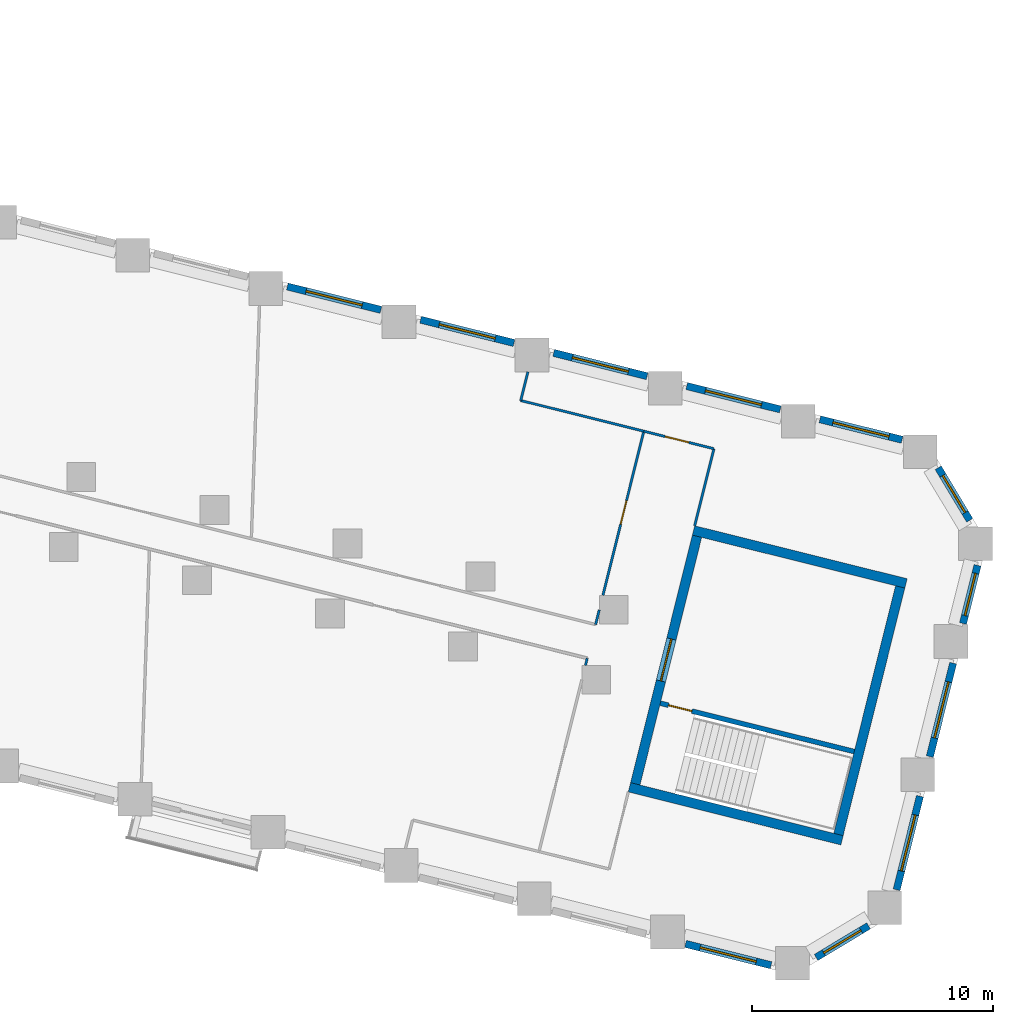
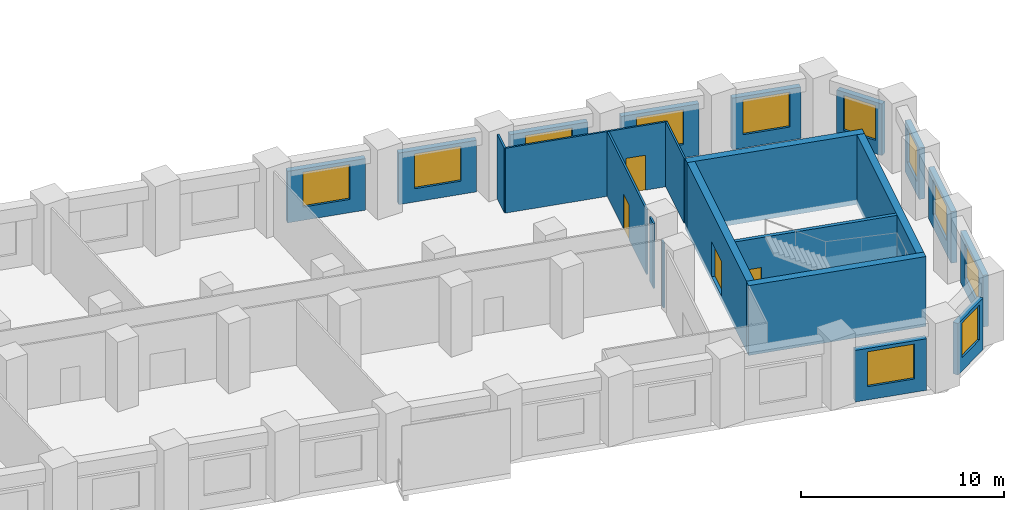
# One storey, part 7 of 11: 23 walls, 11 windows, 4 doors, 15 openings.
"""IFC4 building model written with IfcOpenShell, lengths in metres."""

from ifc_helpers import new_model, si_unit, direction, frame, frame_2d, origin, place, context, subcontext, project, spatial, rectangle, extrude, material, layer, layer_set, type_object, element, fill, save


model = new_model("IFC4")

# Units and contexts
model_context = context("Model", 3, precision=1e-05, world=origin(), true_north=direction((0.0, 1.0)))
body_context = subcontext(model_context, "Body", "Model", "MODEL_VIEW")
ifc_project = project(units=[si_unit("LENGTHUNIT", "METRE"), si_unit("AREAUNIT", "SQUARE_METRE"), si_unit("VOLUMEUNIT", "CUBIC_METRE"), si_unit("PLANEANGLEUNIT", "RADIAN"), si_unit("MASSUNIT", "GRAM", prefix="KILO")], contexts=[model_context])

# Site, building, storey
site_placement = place(None, origin())
site = spatial("IfcSite", under=ifc_project, at=site_placement, CompositionType="ELEMENT")
building_placement = place(site_placement, origin())
building = spatial("IfcBuilding", under=site, at=building_placement, Name="Meshkara Civic Tower", CompositionType="ELEMENT")
storey_placement = place(building_placement, frame((0.0, 0.0, 70.800048828125)))
storey = spatial("IfcBuildingStorey", under=building, at=storey_placement, Name="L15", CompositionType="ELEMENT", Elevation=70.800048828125)

# Walls
ifc_material_1 = material(Name="Corridor wall 100")
ifc_layer_1 = layer(ifc_material_1, 0.10009765625)
ifc_layer_set_1 = layer_set([ifc_layer_1], Name="Corridor wall 100")
wall_type_1 = type_object("IfcWallType", Name="Corridor wall 100", PredefinedType="PARTITIONING", material=ifc_layer_set_1)
wall_1_placement = place(storey_placement, frame((74.35595703125, -7.534912109375, 0.0), z_axis=(0.0, 0.0, 1.0), x_axis=(-0.24082959107, -0.970567415518, 0.0)))
element("IfcWall", 1, at=wall_1_placement, inside=storey, type_object=wall_type_1, Name="L15-W027", PredefinedType="PARTITIONING", context=body_context, shape_type="SweptSolid", body=[
    extrude(rectangle(XDim=0.30322265625, YDim=0.10009765625, at=frame_2d((0.151611328125, 0.0))), origin(), (0.0, 0.0, 1.0), 3.89990234375),
])
wall_2_placement = place(storey_placement, frame((74.85595703125, -5.527099609375, 0.0), z_axis=(0.0, 0.0, 1.0), x_axis=(-0.241982798004, -0.970280539571, 0.0)))
element("IfcWall", 2, at=wall_2_placement, inside=storey, type_object=wall_type_1, Name="L15-W028", PredefinedType="PARTITIONING", context=body_context, shape_type="SweptSolid", body=[
    extrude(rectangle(XDim=0.62353515625, YDim=0.10009765625, at=frame_2d((0.311767578125, 0.0))), origin(), (0.0, 0.0, 1.0), 3.89990234375),
])

# Wall, opening, door
wall_3_placement = place(storey_placement, frame((76.7080078125, 1.89892578125, 0.0), z_axis=(0.0, 0.0, 1.0), x_axis=(-0.241963232294, -0.970285418945, 0.0)))
wall_3 = element("IfcWall", 3, at=wall_3_placement, inside=storey, type_object=wall_type_1, Name="L15-W030", PredefinedType="PARTITIONING", context=body_context, shape_type="SweptSolid", body=[
    extrude(rectangle(XDim=7.025634765625, YDim=0.10009765625, at=frame_2d((3.5126953125, 0.0))), origin(), (0.0, 0.0, 1.0), 3.89990234375),
])
opening_1_placement = place(wall_3_placement, frame((2.97998046875, 0.0, 0.0)))
opening_1 = element("IfcOpeningElement", 4, at=opening_1_placement, cuts=wall_3, Name="Opening L15-D008", PredefinedType="OPENING", context=body_context, shape_type="SweptSolid", body=[
    extrude(rectangle(XDim=1.0, YDim=2.10009765625, at=frame_2d((0.5, 1.050048828125))), frame((0.0, 0.06005859375, 0.0), z_axis=(0.0, -1.0, 0.0), x_axis=(1.0, 0.0, 0.0)), (0.0, 0.0, 1.0), 0.1201171875),
])
ifc_material_2 = material(Name="Door 1000 x 2100")
door_type_1 = type_object("IfcDoorType", Name="Door 1000 x 2100", OperationType="SINGLE_SWING_LEFT", PredefinedType="DOOR", material=ifc_material_2)
door_1_placement = place(opening_1_placement, origin())
door_1 = element("IfcDoor", 5, at=door_1_placement, inside=storey, type_object=door_type_1, Name="L15-D008", OperationType="SINGLE_SWING_RIGHT", OverallHeight=2.10009765625, OverallWidth=1.0, PredefinedType="DOOR", context=body_context, shape_type="SweptSolid", body=[
    extrude(rectangle(XDim=1.0, YDim=2.10009765625, at=frame_2d((0.5, 1.050048828125))), frame((0.0, 0.02490234375, 0.0), z_axis=(0.0, -1.0, 0.0), x_axis=(1.0, 0.0, 0.0)), (0.0, 0.0, 1.0), 0.050048828125),
])
fill(opening_1, door_1)

# Wall
wall_4_placement = place(storey_placement, frame((78.821044921875, -2.029052734375, 0.0), z_axis=(0.0, 0.0, 1.0), x_axis=(0.241769629392, 0.970333677816, 0.0)))
element("IfcWall", 6, at=wall_4_placement, inside=storey, type_object=wall_type_1, Name="L15-W031", PredefinedType="PARTITIONING", context=body_context, shape_type="SweptSolid", body=[
    extrude(rectangle(XDim=3.300048828125, YDim=0.10009765625, at=frame_2d((1.64990234375, 0.0))), origin(), (0.0, 0.0, 1.0), 3.89990234375),
])

# Wall, opening, door
wall_5_placement = place(storey_placement, frame((79.618896484375, 1.173095703125, 0.0), z_axis=(0.0, 0.0, 1.0), x_axis=(-0.970290716908, 0.241941986192, 0.0)))
wall_5 = element("IfcWall", 7, at=wall_5_placement, inside=storey, type_object=wall_type_1, Name="L15-W032", PredefinedType="PARTITIONING", context=body_context, shape_type="SweptSolid", body=[
    extrude(rectangle(XDim=3.0, YDim=0.10009765625, at=frame_2d((1.5, 0.0))), origin(), (0.0, 0.0, 1.0), 3.89990234375),
])
opening_2_placement = place(wall_5_placement, frame((1.080078125, 0.0, 0.0)))
opening_2 = element("IfcOpeningElement", 8, at=opening_2_placement, cuts=wall_5, Name="Opening L15-D012", PredefinedType="OPENING", context=body_context, shape_type="SweptSolid", body=[
    extrude(rectangle(XDim=1.0, YDim=2.10009765625, at=frame_2d((0.5, 1.050048828125))), frame((0.0, 0.06005859375, 0.0), z_axis=(0.0, -1.0, 0.0), x_axis=(1.0, 0.0, 0.0)), (0.0, 0.0, 1.0), 0.1201171875),
])
door_2_placement = place(opening_2_placement, origin())
door_2 = element("IfcDoor", 9, at=door_2_placement, inside=storey, type_object=door_type_1, Name="L15-D012", OperationType="SINGLE_SWING_LEFT", OverallHeight=2.10009765625, OverallWidth=1.0, PredefinedType="DOOR", context=body_context, shape_type="SweptSolid", body=[
    extrude(rectangle(XDim=1.0, YDim=2.10009765625, at=frame_2d((0.5, 1.050048828125))), frame((0.0, 0.02490234375, 0.0), z_axis=(0.0, -1.0, 0.0), x_axis=(1.0, 0.0, 0.0)), (0.0, 0.0, 1.0), 0.050048828125),
])
fill(opening_2, door_2)

# Wall, opening, window
ifc_material_3 = material(Name="Insulated infill panel with bronze anodised aluminium cladding", Category="aluminium")
ifc_layer_2 = layer(ifc_material_3, 0.300048828125)
ifc_layer_set_2 = layer_set([ifc_layer_2], Name="EXTERNAL INFILL WALL 300")
wall_type_2 = type_object("IfcWallType", Name="EXTERNAL INFILL WALL 300", PredefinedType="SOLIDWALL", material=ifc_layer_set_2)
wall_6_placement = place(storey_placement, frame((87.43505859375, 1.54296875, 0.0), z_axis=(0.0, 0.0, 1.0), x_axis=(-0.970289298425, 0.241947674843, 0.0)))
wall_6 = element("IfcWall", 10, at=wall_6_placement, inside=storey, type_object=wall_type_2, Name="External wall", PredefinedType="SOLIDWALL", context=body_context, shape_type="SweptSolid", body=[
    extrude(rectangle(XDim=3.517578125, YDim=0.300048828125, at=frame_2d((1.7587890625, 0.0))), origin(), (0.0, 0.0, 1.0), 3.099853515625),
])
opening_3_placement = place(wall_6_placement, frame((0.55908203125, 0.0, 0.800048828125)))
opening_3 = element("IfcOpeningElement", 11, at=opening_3_placement, cuts=wall_6, Name="Opening W7", PredefinedType="OPENING", context=body_context, shape_type="SweptSolid", body=[
    extrude(rectangle(XDim=2.39990234375, YDim=2.10009765625, at=frame_2d((1.199951171875, 1.050048828125))), frame((0.0, 0.159912109375, 0.0), z_axis=(0.0, -1.0, 0.0), x_axis=(1.0, 0.0, 0.0)), (0.0, 0.0, 1.0), 0.320068359375),
])
ifc_material_4 = material(Name="Tinted double glazing", Category="glass")
window_type_1 = type_object("IfcWindowType", Name="WINDOW 2400x2100", PartitioningType="DOUBLE_PANEL_VERTICAL", PredefinedType="WINDOW", material=ifc_material_4)
window_1_placement = place(opening_3_placement, origin())
window_1 = element("IfcWindow", 12, at=window_1_placement, inside=storey, type_object=window_type_1, Name="Window", OverallHeight=2.10009765625, OverallWidth=2.39990234375, PartitioningType="DOUBLE_PANEL_VERTICAL", PredefinedType="WINDOW", context=body_context, shape_type="SweptSolid", body=[
    extrude(rectangle(XDim=2.39990234375, YDim=2.10009765625, at=frame_2d((1.199951171875, 1.050048828125))), frame((0.0, 0.030029296875, 0.0), z_axis=(0.0, -1.0, 0.0), x_axis=(1.0, 0.0, 0.0)), (0.0, 0.0, 1.0), 0.06005859375),
])
fill(opening_3, window_1)

wall_7_placement = place(storey_placement, frame((82.375, 2.804931640625, 0.0), z_axis=(0.0, 0.0, 1.0), x_axis=(-0.970318045095, 0.24183236211, 0.0)))
wall_7 = element("IfcWall", 13, at=wall_7_placement, inside=storey, type_object=wall_type_2, Name="External wall", PredefinedType="SOLIDWALL", context=body_context, shape_type="SweptSolid", body=[
    extrude(rectangle(XDim=4.0029296875, YDim=0.300048828125, at=frame_2d((2.00146484375, 0.0))), origin(), (0.0, 0.0, 1.0), 3.099853515625),
])
opening_4_placement = place(wall_7_placement, frame((0.802001953125, 0.0, 0.800048828125)))
opening_4 = element("IfcOpeningElement", 14, at=opening_4_placement, cuts=wall_7, Name="Opening W7", PredefinedType="OPENING", context=body_context, shape_type="SweptSolid", body=[
    extrude(rectangle(XDim=2.39990234375, YDim=2.10009765625, at=frame_2d((1.199951171875, 1.050048828125))), frame((0.0, 0.159912109375, 0.0), z_axis=(0.0, -1.0, 0.0), x_axis=(1.0, 0.0, 0.0)), (0.0, 0.0, 1.0), 0.320068359375),
])
window_2_placement = place(opening_4_placement, origin())
window_2 = element("IfcWindow", 15, at=window_2_placement, inside=storey, type_object=window_type_1, Name="Window", OverallHeight=2.10009765625, OverallWidth=2.39990234375, PartitioningType="DOUBLE_PANEL_VERTICAL", PredefinedType="WINDOW", context=body_context, shape_type="SweptSolid", body=[
    extrude(rectangle(XDim=2.39990234375, YDim=2.10009765625, at=frame_2d((1.199951171875, 1.050048828125))), frame((0.0, 0.030029296875, 0.0), z_axis=(0.0, -1.0, 0.0), x_axis=(1.0, 0.0, 0.0)), (0.0, 0.0, 1.0), 0.06005859375),
])
fill(opening_4, window_2)

wall_8_placement = place(storey_placement, frame((76.843994140625, 4.18408203125, 0.0), z_axis=(0.0, 0.0, 1.0), x_axis=(-0.970303772127, 0.241889623168, 0.0)))
wall_8 = element("IfcWall", 16, at=wall_8_placement, inside=storey, type_object=wall_type_2, Name="External wall", PredefinedType="SOLIDWALL", context=body_context, shape_type="SweptSolid", body=[
    extrude(rectangle(XDim=4.001953125, YDim=0.300048828125, at=frame_2d((2.0009765625, 0.0))), origin(), (0.0, 0.0, 1.0), 3.099853515625),
])
opening_5_placement = place(wall_8_placement, frame((0.801025390625, 0.0, 0.800048828125)))
opening_5 = element("IfcOpeningElement", 17, at=opening_5_placement, cuts=wall_8, Name="Opening W7", PredefinedType="OPENING", context=body_context, shape_type="SweptSolid", body=[
    extrude(rectangle(XDim=2.39990234375, YDim=2.10009765625, at=frame_2d((1.199951171875, 1.050048828125))), frame((0.0, 0.159912109375, 0.0), z_axis=(0.0, -1.0, 0.0), x_axis=(1.0, 0.0, 0.0)), (0.0, 0.0, 1.0), 0.320068359375),
])
window_3_placement = place(opening_5_placement, origin())
window_3 = element("IfcWindow", 18, at=window_3_placement, inside=storey, type_object=window_type_1, Name="Window", OverallHeight=2.10009765625, OverallWidth=2.39990234375, PartitioningType="DOUBLE_PANEL_VERTICAL", PredefinedType="WINDOW", context=body_context, shape_type="SweptSolid", body=[
    extrude(rectangle(XDim=2.39990234375, YDim=2.10009765625, at=frame_2d((1.199951171875, 1.050048828125))), frame((0.0, 0.030029296875, 0.0), z_axis=(0.0, -1.0, 0.0), x_axis=(1.0, 0.0, 0.0)), (0.0, 0.0, 1.0), 0.06005859375),
])
fill(opening_5, window_3)

wall_9_placement = place(storey_placement, frame((71.31396484375, 5.56298828125, 0.0), z_axis=(0.0, 0.0, 1.0), x_axis=(-0.970318045095, 0.24183236211, 0.0)))
wall_9 = element("IfcWall", 19, at=wall_9_placement, inside=storey, type_object=wall_type_2, Name="External wall", PredefinedType="SOLIDWALL", context=body_context, shape_type="SweptSolid", body=[
    extrude(rectangle(XDim=4.0029296875, YDim=0.300048828125, at=frame_2d((2.00146484375, 0.0))), origin(), (0.0, 0.0, 1.0), 3.099853515625),
])
opening_6_placement = place(wall_9_placement, frame((0.802001953125, 0.0, 0.800048828125)))
opening_6 = element("IfcOpeningElement", 20, at=opening_6_placement, cuts=wall_9, Name="Opening W7", PredefinedType="OPENING", context=body_context, shape_type="SweptSolid", body=[
    extrude(rectangle(XDim=2.39990234375, YDim=2.10009765625, at=frame_2d((1.199951171875, 1.050048828125))), frame((0.0, 0.159912109375, 0.0), z_axis=(0.0, -1.0, 0.0), x_axis=(1.0, 0.0, 0.0)), (0.0, 0.0, 1.0), 0.320068359375),
])
window_4_placement = place(opening_6_placement, origin())
window_4 = element("IfcWindow", 21, at=window_4_placement, inside=storey, type_object=window_type_1, Name="Window", OverallHeight=2.10009765625, OverallWidth=2.39990234375, PartitioningType="DOUBLE_PANEL_VERTICAL", PredefinedType="WINDOW", context=body_context, shape_type="SweptSolid", body=[
    extrude(rectangle(XDim=2.39990234375, YDim=2.10009765625, at=frame_2d((1.199951171875, 1.050048828125))), frame((0.0, 0.030029296875, 0.0), z_axis=(0.0, -1.0, 0.0), x_axis=(1.0, 0.0, 0.0)), (0.0, 0.0, 1.0), 0.06005859375),
])
fill(opening_6, window_4)

wall_10_placement = place(storey_placement, frame((65.782958984375, 6.94189453125, 0.0), z_axis=(0.0, 0.0, 1.0), x_axis=(-0.970318045095, 0.24183236211, 0.0)))
wall_10 = element("IfcWall", 22, at=wall_10_placement, inside=storey, type_object=wall_type_2, Name="External wall", PredefinedType="SOLIDWALL", context=body_context, shape_type="SweptSolid", body=[
    extrude(rectangle(XDim=4.0029296875, YDim=0.300048828125, at=frame_2d((2.00146484375, 0.0))), origin(), (0.0, 0.0, 1.0), 3.099853515625),
])
opening_7_placement = place(wall_10_placement, frame((0.802001953125, 0.0, 0.800048828125)))
opening_7 = element("IfcOpeningElement", 23, at=opening_7_placement, cuts=wall_10, Name="Opening W7", PredefinedType="OPENING", context=body_context, shape_type="SweptSolid", body=[
    extrude(rectangle(XDim=2.39990234375, YDim=2.10009765625, at=frame_2d((1.199951171875, 1.050048828125))), frame((0.0, 0.159912109375, 0.0), z_axis=(0.0, -1.0, 0.0), x_axis=(1.0, 0.0, 0.0)), (0.0, 0.0, 1.0), 0.320068359375),
])
window_5_placement = place(opening_7_placement, origin())
window_5 = element("IfcWindow", 24, at=window_5_placement, inside=storey, type_object=window_type_1, Name="Window", OverallHeight=2.10009765625, OverallWidth=2.39990234375, PartitioningType="DOUBLE_PANEL_VERTICAL", PredefinedType="WINDOW", context=body_context, shape_type="SweptSolid", body=[
    extrude(rectangle(XDim=2.39990234375, YDim=2.10009765625, at=frame_2d((1.199951171875, 1.050048828125))), frame((0.0, 0.030029296875, 0.0), z_axis=(0.0, -1.0, 0.0), x_axis=(1.0, 0.0, 0.0)), (0.0, 0.0, 1.0), 0.06005859375),
])
fill(opening_7, window_5)

wall_11_placement = place(storey_placement, frame((78.43994140625, -19.402099609375, 0.0), z_axis=(0.0, 0.0, 1.0), x_axis=(0.970271818873, -0.24201776278, 0.0)))
wall_11 = element("IfcWall", 25, at=wall_11_placement, inside=storey, type_object=wall_type_2, Name="External wall", PredefinedType="SOLIDWALL", context=body_context, shape_type="SweptSolid", body=[
    extrude(rectangle(XDim=3.660888671875, YDim=0.300048828125, at=frame_2d((1.83056640625, 0.0))), origin(), (0.0, 0.0, 1.0), 3.099853515625),
])
opening_8_placement = place(wall_11_placement, frame((0.6298828125, 0.0, 0.800048828125)))
opening_8 = element("IfcOpeningElement", 26, at=opening_8_placement, cuts=wall_11, Name="Opening W7", PredefinedType="OPENING", context=body_context, shape_type="SweptSolid", body=[
    extrude(rectangle(XDim=2.39990234375, YDim=2.10009765625, at=frame_2d((1.199951171875, 1.050048828125))), frame((0.0, 0.159912109375, 0.0), z_axis=(0.0, -1.0, 0.0), x_axis=(1.0, 0.0, 0.0)), (0.0, 0.0, 1.0), 0.320068359375),
])
window_6_placement = place(opening_8_placement, origin())
window_6 = element("IfcWindow", 27, at=window_6_placement, inside=storey, type_object=window_type_1, Name="Window", OverallHeight=2.10009765625, OverallWidth=2.39990234375, PartitioningType="DOUBLE_PANEL_VERTICAL", PredefinedType="WINDOW", context=body_context, shape_type="SweptSolid", body=[
    extrude(rectangle(XDim=2.39990234375, YDim=2.10009765625, at=frame_2d((1.199951171875, 1.050048828125))), frame((0.0, 0.030029296875, 0.0), z_axis=(0.0, -1.0, 0.0), x_axis=(1.0, 0.0, 0.0)), (0.0, 0.0, 1.0), 0.06005859375),
])
fill(opening_8, window_6)

wall_12_placement = place(storey_placement, frame((83.865966796875, -19.965087890625, 0.0), z_axis=(0.0, 0.0, 1.0), x_axis=(0.857026568426, 0.515272220299, 0.0)))
wall_12 = element("IfcWall", 28, at=wall_12_placement, inside=storey, type_object=wall_type_2, Name="External wall", PredefinedType="SOLIDWALL", context=body_context, shape_type="SweptSolid", body=[
    extrude(rectangle(XDim=2.54248046875, YDim=0.300048828125, at=frame_2d((1.271240234375, 0.0))), origin(), (0.0, 0.0, 1.0), 3.099853515625),
])
opening_9_placement = place(wall_12_placement, frame((0.37109375, 0.0, 0.800048828125)))
opening_9 = element("IfcOpeningElement", 29, at=opening_9_placement, cuts=wall_12, Name="Opening W9", PredefinedType="OPENING", context=body_context, shape_type="SweptSolid", body=[
    extrude(rectangle(XDim=1.800048828125, YDim=2.10009765625, at=frame_2d((0.89990234375, 1.050048828125))), frame((0.0, 0.159912109375, 0.0), z_axis=(0.0, -1.0, 0.0), x_axis=(1.0, 0.0, 0.0)), (0.0, 0.0, 1.0), 0.320068359375),
])
ifc_material_5 = material(Name="Tinted double glazing", Category="glass")
window_type_2 = type_object("IfcWindowType", Name="WINDOW 1800x2100", PartitioningType="DOUBLE_PANEL_VERTICAL", PredefinedType="WINDOW", material=ifc_material_5)
window_7_placement = place(opening_9_placement, origin())
window_7 = element("IfcWindow", 30, at=window_7_placement, inside=storey, type_object=window_type_2, Name="Window", OverallHeight=2.10009765625, OverallWidth=1.800048828125, PartitioningType="DOUBLE_PANEL_VERTICAL", PredefinedType="WINDOW", context=body_context, shape_type="SweptSolid", body=[
    extrude(rectangle(XDim=1.800048828125, YDim=2.10009765625, at=frame_2d((0.89990234375, 1.050048828125))), frame((0.0, 0.030029296875, 0.0), z_axis=(0.0, -1.0, 0.0), x_axis=(1.0, 0.0, 0.0)), (0.0, 0.0, 1.0), 0.06005859375),
])
fill(opening_9, window_7)

wall_13_placement = place(storey_placement, frame((87.2109375, -17.152099609375, 0.0), z_axis=(0.0, 0.0, 1.0), x_axis=(0.24183236211, 0.970318045095, 0.0)))
wall_13 = element("IfcWall", 31, at=wall_13_placement, inside=storey, type_object=wall_type_2, Name="External wall", PredefinedType="SOLIDWALL", context=body_context, shape_type="SweptSolid", body=[
    extrude(rectangle(XDim=4.0029296875, YDim=0.300048828125, at=frame_2d((2.00146484375, 0.0))), origin(), (0.0, 0.0, 1.0), 3.099853515625),
])
opening_10_placement = place(wall_13_placement, frame((0.802001953125, 0.0, 0.800048828125)))
opening_10 = element("IfcOpeningElement", 32, at=opening_10_placement, cuts=wall_13, Name="Opening W7", PredefinedType="OPENING", context=body_context, shape_type="SweptSolid", body=[
    extrude(rectangle(XDim=2.39990234375, YDim=2.10009765625, at=frame_2d((1.199951171875, 1.050048828125))), frame((0.0, 0.159912109375, 0.0), z_axis=(0.0, -1.0, 0.0), x_axis=(1.0, 0.0, 0.0)), (0.0, 0.0, 1.0), 0.320068359375),
])
window_8_placement = place(opening_10_placement, origin())
window_8 = element("IfcWindow", 33, at=window_8_placement, inside=storey, type_object=window_type_1, Name="Window", OverallHeight=2.10009765625, OverallWidth=2.39990234375, PartitioningType="DOUBLE_PANEL_VERTICAL", PredefinedType="WINDOW", context=body_context, shape_type="SweptSolid", body=[
    extrude(rectangle(XDim=2.39990234375, YDim=2.10009765625, at=frame_2d((1.199951171875, 1.050048828125))), frame((0.0, 0.030029296875, 0.0), z_axis=(0.0, -1.0, 0.0), x_axis=(1.0, 0.0, 0.0)), (0.0, 0.0, 1.0), 0.06005859375),
])
fill(opening_10, window_8)

wall_14_placement = place(storey_placement, frame((88.590087890625, -11.62109375, 0.0), z_axis=(0.0, 0.0, 1.0), x_axis=(0.241889623168, 0.970303772127, 0.0)))
wall_14 = element("IfcWall", 34, at=wall_14_placement, inside=storey, type_object=wall_type_2, Name="External wall", PredefinedType="SOLIDWALL", context=body_context, shape_type="SweptSolid", body=[
    extrude(rectangle(XDim=4.001953125, YDim=0.300048828125, at=frame_2d((2.0009765625, 0.0))), origin(), (0.0, 0.0, 1.0), 3.099853515625),
])
opening_11_placement = place(wall_14_placement, frame((0.801025390625, 0.0, 0.800048828125)))
opening_11 = element("IfcOpeningElement", 35, at=opening_11_placement, cuts=wall_14, Name="Opening W7", PredefinedType="OPENING", context=body_context, shape_type="SweptSolid", body=[
    extrude(rectangle(XDim=2.39990234375, YDim=2.10009765625, at=frame_2d((1.199951171875, 1.050048828125))), frame((0.0, 0.159912109375, 0.0), z_axis=(0.0, -1.0, 0.0), x_axis=(1.0, 0.0, 0.0)), (0.0, 0.0, 1.0), 0.320068359375),
])
window_9_placement = place(opening_11_placement, origin())
window_9 = element("IfcWindow", 36, at=window_9_placement, inside=storey, type_object=window_type_1, Name="Window", OverallHeight=2.10009765625, OverallWidth=2.39990234375, PartitioningType="DOUBLE_PANEL_VERTICAL", PredefinedType="WINDOW", context=body_context, shape_type="SweptSolid", body=[
    extrude(rectangle(XDim=2.39990234375, YDim=2.10009765625, at=frame_2d((1.199951171875, 1.050048828125))), frame((0.0, 0.030029296875, 0.0), z_axis=(0.0, -1.0, 0.0), x_axis=(1.0, 0.0, 0.0)), (0.0, 0.0, 1.0), 0.06005859375),
])
fill(opening_11, window_9)

wall_15_placement = place(storey_placement, frame((89.968994140625, -6.091064453125, 0.0), z_axis=(0.0, 0.0, 1.0), x_axis=(0.241797277733, 0.9703267885, 0.0)))
wall_15 = element("IfcWall", 37, at=wall_15_placement, inside=storey, type_object=wall_type_2, Name="External wall", PredefinedType="SOLIDWALL", context=body_context, shape_type="SweptSolid", body=[
    extrude(rectangle(XDim=2.489990234375, YDim=0.300048828125, at=frame_2d((1.2451171875, 0.0))), origin(), (0.0, 0.0, 1.0), 3.099853515625),
])
opening_12_placement = place(wall_15_placement, frame((0.344970703125, 0.0, 0.800048828125)))
opening_12 = element("IfcOpeningElement", 38, at=opening_12_placement, cuts=wall_15, Name="Opening W9", PredefinedType="OPENING", context=body_context, shape_type="SweptSolid", body=[
    extrude(rectangle(XDim=1.800048828125, YDim=2.10009765625, at=frame_2d((0.89990234375, 1.050048828125))), frame((0.0, 0.159912109375, 0.0), z_axis=(0.0, -1.0, 0.0), x_axis=(1.0, 0.0, 0.0)), (0.0, 0.0, 1.0), 0.320068359375),
])
window_10_placement = place(opening_12_placement, origin())
window_10 = element("IfcWindow", 39, at=window_10_placement, inside=storey, type_object=window_type_2, Name="Window", OverallHeight=2.10009765625, OverallWidth=1.800048828125, PartitioningType="DOUBLE_PANEL_VERTICAL", PredefinedType="WINDOW", context=body_context, shape_type="SweptSolid", body=[
    extrude(rectangle(XDim=1.800048828125, YDim=2.10009765625, at=frame_2d((0.89990234375, 1.050048828125))), frame((0.0, 0.030029296875, 0.0), z_axis=(0.0, -1.0, 0.0), x_axis=(1.0, 0.0, 0.0)), (0.0, 0.0, 1.0), 0.06005859375),
])
fill(opening_12, window_10)

wall_16_placement = place(storey_placement, frame((90.248046875, -1.801025390625, 0.0), z_axis=(0.0, 0.0, 1.0), x_axis=(-0.515441886055, 0.856924536992, 0.0)))
wall_16 = element("IfcWall", 40, at=wall_16_placement, inside=storey, type_object=wall_type_2, Name="External wall", PredefinedType="SOLIDWALL", context=body_context, shape_type="SweptSolid", body=[
    extrude(rectangle(XDim=2.54150390625, YDim=0.300048828125, at=frame_2d((1.270751953125, 0.0))), origin(), (0.0, 0.0, 1.0), 3.099853515625),
])
opening_13_placement = place(wall_16_placement, frame((0.37109375, 0.0, 0.800048828125)))
opening_13 = element("IfcOpeningElement", 41, at=opening_13_placement, cuts=wall_16, Name="Opening W9", PredefinedType="OPENING", context=body_context, shape_type="SweptSolid", body=[
    extrude(rectangle(XDim=1.800048828125, YDim=2.10009765625, at=frame_2d((0.89990234375, 1.050048828125))), frame((0.0, 0.159912109375, 0.0), z_axis=(0.0, -1.0, 0.0), x_axis=(1.0, 0.0, 0.0)), (0.0, 0.0, 1.0), 0.320068359375),
])
window_11_placement = place(opening_13_placement, origin())
window_11 = element("IfcWindow", 42, at=window_11_placement, inside=storey, type_object=window_type_2, Name="Window", OverallHeight=2.10009765625, OverallWidth=1.800048828125, PartitioningType="DOUBLE_PANEL_VERTICAL", PredefinedType="WINDOW", context=body_context, shape_type="SweptSolid", body=[
    extrude(rectangle(XDim=1.800048828125, YDim=2.10009765625, at=frame_2d((0.89990234375, 1.050048828125))), frame((0.0, 0.030029296875, 0.0), z_axis=(0.0, -1.0, 0.0), x_axis=(1.0, 0.0, 0.0)), (0.0, 0.0, 1.0), 0.06005859375),
])
fill(opening_13, window_11)

# Walls
ifc_material_6 = material(Name="Concrete C80", Category="concrete")
ifc_layer_3 = layer(ifc_material_6, 0.39990234375)
ifc_layer_set_3 = layer_set([ifc_layer_3], Name="End core ring wall 400 C80")
wall_type_3 = type_object("IfcWallType", Name="End core ring wall 400 C80", PredefinedType="SHEAR", material=ifc_layer_set_3)
wall_17_placement = place(storey_placement, frame((76.111083984375, -12.89599609375, -0.300048828125), z_axis=(0.0, 0.0, 1.0), x_axis=(0.970311127573, -0.241860115992, 0.0)))
element("IfcWall", 43, at=wall_17_placement, inside=storey, type_object=wall_type_3, Name="L15-C031", PredefinedType="SHEAR", context=body_context, shape_type="SweptSolid", body=[
    extrude(rectangle(XDim=9.10009765625, YDim=0.39990234375, at=frame_2d((4.550048828125, 0.0))), origin(), (0.0, 0.0, 1.0), 4.199951171875),
])
wall_18_placement = place(storey_placement, frame((78.77197265625, -2.222900390625, -0.300048828125), z_axis=(0.0, 0.0, 1.0), x_axis=(0.970306400786, -0.241879078453, 0.0)))
element("IfcWall", 44, at=wall_18_placement, inside=storey, type_object=wall_type_3, Name="L15-C032", PredefinedType="SHEAR", context=body_context, shape_type="SweptSolid", body=[
    extrude(rectangle(XDim=9.100341796875, YDim=0.39990234375, at=frame_2d((4.55029296875, 0.0))), origin(), (0.0, 0.0, 1.0), 4.199951171875),
])

# Wall, opening, door
wall_19_placement = place(storey_placement, frame((76.35302734375, -12.75, -0.300048828125), z_axis=(0.0, 0.0, 1.0), x_axis=(0.241977390218, 0.970281888228, 0.0)))
wall_19 = element("IfcWall", 45, at=wall_19_placement, inside=storey, type_object=wall_type_3, Name="L15-C033", PredefinedType="SHEAR", context=body_context, shape_type="SweptSolid", body=[
    extrude(rectangle(XDim=10.599853515625, YDim=0.39990234375, at=frame_2d((5.2998046875, 0.0))), origin(), (0.0, 0.0, 1.0), 4.199951171875),
])
opening_14_placement = place(wall_19_placement, frame((4.39990234375, 0.0, 0.300048828125)))
opening_14 = element("IfcOpeningElement", 46, at=opening_14_placement, cuts=wall_19, Name="Opening L15-K202", PredefinedType="OPENING", context=body_context, shape_type="SweptSolid", body=[
    extrude(rectangle(XDim=1.800048828125, YDim=2.10009765625, at=frame_2d((0.89990234375, 1.050048828125))), frame((0.0, 0.2099609375, 0.0), z_axis=(0.0, -1.0, 0.0), x_axis=(1.0, 0.0, 0.0)), (0.0, 0.0, 1.0), 0.419921875),
])
ifc_material_7 = material(Name="Fire-rated door leaf in steel frame", Category="steel")
door_type_2 = type_object("IfcDoorType", Name="Core double door 1800 EI 60", OperationType="DOUBLE_DOOR_SINGLE_SWING", PredefinedType="DOOR", material=ifc_material_7)
door_3_placement = place(opening_14_placement, origin())
door_3 = element("IfcDoor", 47, at=door_3_placement, inside=storey, type_object=door_type_2, Name="L15-K202", OperationType="DOUBLE_DOOR_SINGLE_SWING", OverallHeight=2.10009765625, OverallWidth=1.800048828125, PredefinedType="DOOR", context=body_context, shape_type="SweptSolid", body=[
    extrude(rectangle(XDim=1.800048828125, YDim=2.10009765625, at=frame_2d((0.89990234375, 1.050048828125))), frame((0.0, 0.02490234375, 0.0), z_axis=(0.0, -1.0, 0.0), x_axis=(1.0, 0.0, 0.0)), (0.0, 0.0, 1.0), 0.050048828125),
])
fill(opening_14, door_3)

# Walls
wall_20_placement = place(storey_placement, frame((84.794921875, -14.85498046875, -0.300048828125), z_axis=(0.0, 0.0, 1.0), x_axis=(0.241890652548, 0.970303515509, 0.0)))
element("IfcWall", 48, at=wall_20_placement, inside=storey, type_object=wall_type_3, Name="L15-C034", PredefinedType="SHEAR", context=body_context, shape_type="SweptSolid", body=[
    extrude(rectangle(XDim=10.599609375, YDim=0.39990234375, at=frame_2d((5.2998046875, 0.0))), origin(), (0.0, 0.0, 1.0), 4.199951171875),
])
ifc_material_8 = material(Name="Partition 100")
ifc_layer_4 = layer(ifc_material_8, 0.10009765625)
ifc_layer_set_4 = layer_set([ifc_layer_4], Name="Partition 100")
wall_type_4 = type_object("IfcWallType", Name="Partition 100", PredefinedType="PARTITIONING", material=ifc_layer_set_4)
wall_21_placement = place(storey_placement, frame((71.593017578125, 3.174072265625, 0.0), z_axis=(0.0, 0.0, 1.0), x_axis=(0.241693721233, 0.97035258804, 0.0)))
element("IfcWall", 49, at=wall_21_placement, inside=storey, type_object=wall_type_4, Name="L15-W053", PredefinedType="PARTITIONING", context=body_context, shape_type="SweptSolid", body=[
    extrude(rectangle(XDim=1.228271484375, YDim=0.10009765625, at=frame_2d((0.6142578125, 0.0))), origin(), (0.0, 0.0, 1.0), 3.89990234375),
])
wall_22_placement = place(storey_placement, frame((76.7119140625, 1.89794921875, 0.0), z_axis=(0.0, 0.0, 1.0), x_axis=(-0.970302897998, 0.241893129577, 0.0)))
element("IfcWall", 50, at=wall_22_placement, inside=storey, type_object=wall_type_4, Name="L15-W054", PredefinedType="PARTITIONING", context=body_context, shape_type="SweptSolid", body=[
    extrude(rectangle(XDim=5.275634765625, YDim=0.10009765625, at=frame_2d((2.6376953125, 0.0))), origin(), (0.0, 0.0, 1.0), 3.89990234375),
])

# Wall, opening, door
ifc_material_9 = material(Name="Concrete C40/50", Category="concrete")
ifc_layer_5 = layer(ifc_material_9, 0.199951171875)
ifc_layer_set_5 = layer_set([ifc_layer_5], Name="Stair enclosure wall 200 C40/50")
wall_type_5 = type_object("IfcWallType", Name="Stair enclosure wall 200 C40/50", PredefinedType="SOLIDWALL", material=ifc_layer_set_5)
wall_23_placement = place(storey_placement, frame((77.39404296875, -9.403076171875, 0.0), z_axis=(0.0, 0.0, 1.0), x_axis=(0.970303192681, -0.241891947516, 0.0)))
wall_23 = element("IfcWall", 51, at=wall_23_placement, inside=storey, type_object=wall_type_5, Name="L15-C035", PredefinedType="SOLIDWALL", context=body_context, shape_type="SweptSolid", body=[
    extrude(rectangle(XDim=8.300537109375, YDim=0.199951171875, at=frame_2d((4.150390625, 0.0))), origin(), (0.0, 0.0, 1.0), 3.89990234375),
])
opening_15_placement = place(wall_23_placement, frame((0.35009765625, 0.0, 0.0)))
opening_15 = element("IfcOpeningElement", 52, at=opening_15_placement, cuts=wall_23, Name="Opening L15-K201", PredefinedType="OPENING", context=body_context, shape_type="SweptSolid", body=[
    extrude(rectangle(XDim=1.0, YDim=2.10009765625, at=frame_2d((0.5, 1.050048828125))), frame((0.0, 0.10986328125, 0.0), z_axis=(0.0, -1.0, 0.0), x_axis=(1.0, 0.0, 0.0)), (0.0, 0.0, 1.0), 0.219970703125),
])
ifc_material_10 = material(Name="Fire-rated door leaf in steel frame", Category="steel")
door_type_3 = type_object("IfcDoorType", Name="Stair door 1000 EI 120", OperationType="SINGLE_SWING_LEFT", PredefinedType="DOOR", material=ifc_material_10)
door_4_placement = place(opening_15_placement, origin())
door_4 = element("IfcDoor", 53, at=door_4_placement, inside=storey, type_object=door_type_3, Name="L15-K201", OperationType="SINGLE_SWING_LEFT", OverallHeight=2.10009765625, OverallWidth=1.0, PredefinedType="DOOR", context=body_context, shape_type="SweptSolid", body=[
    extrude(rectangle(XDim=1.0, YDim=2.10009765625, at=frame_2d((0.5, 1.050048828125))), frame((0.0, 0.02490234375, 0.0), z_axis=(0.0, -1.0, 0.0), x_axis=(1.0, 0.0, 0.0)), (0.0, 0.0, 1.0), 0.050048828125),
])
fill(opening_15, door_4)

save(model, "model.ifc")
